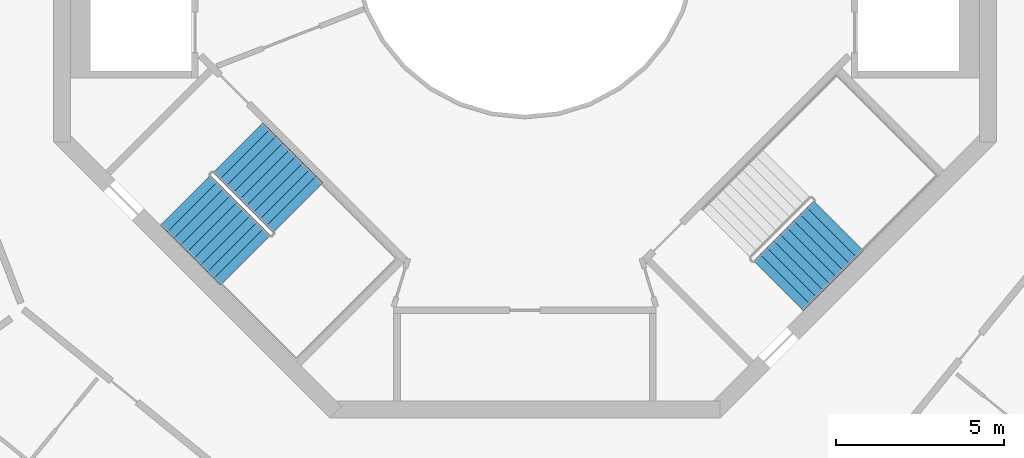
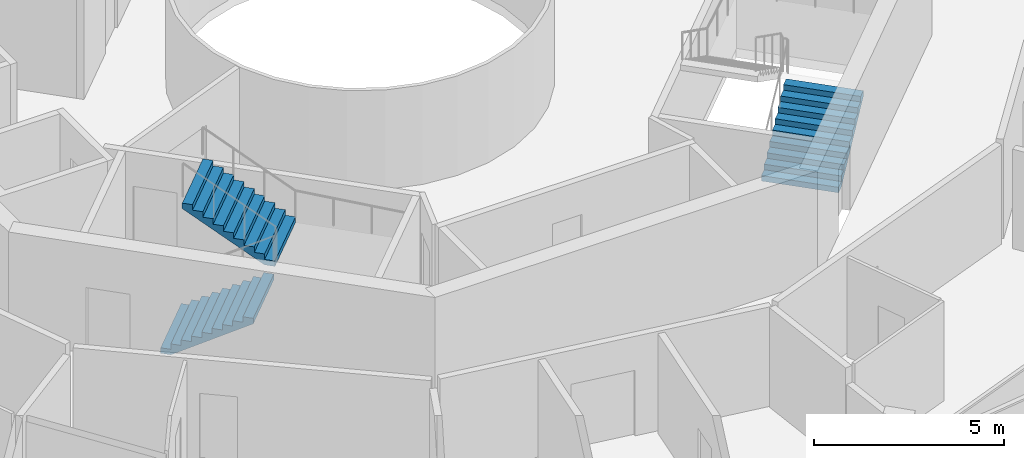
# One storey, part 21 of 23: 3 stair flights, 2 elements without a shape of their own.
"""IFC4 building model written with IfcOpenShell, lengths in metres."""

from ifc_helpers import new_model, si_unit, direction, frame, origin, place, context, subcontext, project, spatial, triangles, material, type_object, element, aggregate, save


model = new_model("IFC4")

# Units and contexts
model_context = context("Model", 3, precision=1e-05, world=origin(), true_north=direction((0.0, 1.0)))
body_context = subcontext(model_context, "Body", "Model", "MODEL_VIEW")
ifc_project = project(units=[si_unit("LENGTHUNIT", "METRE"), si_unit("AREAUNIT", "SQUARE_METRE"), si_unit("VOLUMEUNIT", "CUBIC_METRE"), si_unit("PLANEANGLEUNIT", "RADIAN"), si_unit("MASSUNIT", "GRAM", prefix="KILO")], contexts=[model_context])

# Site, building, storey
site_placement = place(None, origin())
site = spatial("IfcSite", under=ifc_project, at=site_placement, CompositionType="ELEMENT")
building_placement = place(site_placement, origin())
building = spatial("IfcBuilding", under=site, at=building_placement, Name="Verdalira Terraces Hotel", CompositionType="ELEMENT")
storey_placement = place(building_placement, frame((0.0, 0.0, 241.0)))
storey = spatial("IfcBuildingStorey", under=building, at=storey_placement, Name="L59", CompositionType="ELEMENT", Elevation=241.0)

# Stair, stair flights
ifc_material_1 = material(Name="Concrete C40", Category="concrete")
stair_type = type_object("IfcStairType", Name="Core stair 20 risers 2100 mm wide", PredefinedType="HALF_TURN_STAIR", material=ifc_material_1)
stair_1_placement = place(storey_placement, origin())
stair_1 = element("IfcStair", 1, at=stair_1_placement, inside=storey, type_object=stair_type, Name="L59 Exit stair ST2", PredefinedType="HALF_TURN_STAIR")
ifc_material_2 = material(Name="Concrete C40", Category="concrete")
stair_flight_type = type_object("IfcStairFlightType", Name="Core stair flight 20 risers 2100 mm wide", PredefinedType="STRAIGHT", material=ifc_material_2)
stair_flight_1_placement = place(storey_placement, frame((-10.076172, -7.530762, 0.0), z_axis=(0.0, 0.0, 1.0), x_axis=(0.707106781, -0.707106781, 0.0)))
stair_flight_1 = element("IfcStairFlight", 2, at=stair_flight_1_placement, type_object=stair_flight_type, Name="ST2 flight 1", NumberOfRisers=10, NumberOfTreads=9, PredefinedType="STRAIGHT", RiserHeight=0.175, TreadLength=0.28, context=body_context, shape_type="Tessellation", body=[
    triangles([(0.0, 1.050049, 0.0), (0.282715, 1.050049, 0.0), (2.52002, 1.050049, 1.398193), (0.0, -1.050049, 0.0), (0.282715, -1.050049, 0.0), (2.52002, -1.050049, 1.398193), (2.52002, 1.050049, 1.574951), (2.23999, 1.050049, 1.574951), (2.52002, -1.050049, 1.574951), (2.23999, -1.050049, 1.574951), (2.23999, 1.050049, 1.399902), (2.23999, -1.050049, 1.399902), (1.959961, 1.050049, 1.399902), (1.959961, -1.050049, 1.399902), (1.959961, 1.050049, 1.225098), (1.959961, -1.050049, 1.225098), (1.679932, 1.050049, 1.225098), (1.679932, 1.050049, 1.050049), (1.679932, -1.050049, 1.225098), (1.679932, -1.050049, 1.050049), (1.399902, 1.050049, 1.050049), (1.399902, 1.050049, 0.875), (1.399902, -1.050049, 1.050049), (1.399902, -1.050049, 0.875), (1.120117, 1.050049, 0.875), (1.120117, 1.050049, 0.699951), (1.120117, -1.050049, 0.875), (1.120117, -1.050049, 0.699951), (0.840088, 1.050049, 0.699951), (0.840088, 1.050049, 0.524902), (0.840088, -1.050049, 0.699951), (0.840088, -1.050049, 0.524902), (0.560059, 1.050049, 0.524902), (0.560059, 1.050049, 0.350098), (0.560059, -1.050049, 0.524902), (0.560059, -1.050049, 0.350098), (0.280029, 1.050049, 0.350098), (0.280029, 1.050049, 0.175049), (0.280029, -1.050049, 0.350098), (0.280029, -1.050049, 0.175049), (0.0, 1.050049, 0.175049), (0.0, -1.050049, 0.175049), (0.0, -0.984421, 0.0), (0.0, -0.984421, 0.175049), (0.0, -0.918793, 0.0), (0.0, -0.918793, 0.175049), (0.0, -0.853165, 0.0), (0.0, -0.853165, 0.175049), (0.0, -0.787537, 0.0), (0.0, -0.787537, 0.175049), (0.0, -0.721909, 0.0), (0.0, -0.721909, 0.175049), (0.0, -0.656281, 0.0), (0.0, -0.656281, 0.175049), (0.0, -0.590652, 0.0), (0.0, -0.590652, 0.175049), (0.0, -0.525024, 0.0), (0.0, -0.525024, 0.175049), (0.0, -0.459396, 0.0), (0.0, -0.459396, 0.175049), (0.0, -0.393768, 0.0), (0.0, -0.393768, 0.175049), (0.0, -0.32814, 0.0), (0.0, -0.32814, 0.175049), (0.0, -0.262512, 0.0), (0.0, -0.262512, 0.175049), (0.0, -0.196884, 0.0), (0.0, -0.196884, 0.175049), (0.0, -0.131256, 0.0), (0.0, -0.131256, 0.175049), (0.0, -0.065628, 0.0), (0.0, -0.065628, 0.175049), (0.0, 0.0, 0.0), (0.0, 0.0, 0.175049), (0.0, 0.065628, 0.0), (0.0, 0.065628, 0.175049), (0.0, 0.131256, 0.0), (0.0, 0.131256, 0.175049), (0.0, 0.196884, 0.0), (0.0, 0.196884, 0.175049), (0.0, 0.262512, 0.0), (0.0, 0.262512, 0.175049), (0.0, 0.32814, 0.0), (0.0, 0.32814, 0.175049), (0.0, 0.393768, 0.0), (0.0, 0.393768, 0.175049), (0.0, 0.459396, 0.0), (0.0, 0.459396, 0.175049), (0.0, 0.525024, 0.0), (0.0, 0.525024, 0.175049), (0.0, 0.590652, 0.0), (0.0, 0.590652, 0.175049), (0.0, 0.656281, 0.0), (0.0, 0.656281, 0.175049), (0.0, 0.721909, 0.0), (0.0, 0.721909, 0.175049), (0.0, 0.787537, 0.0), (0.0, 0.787537, 0.175049), (0.0, 0.853165, 0.0), (0.0, 0.853165, 0.175049), (0.0, 0.918793, 0.0), (0.0, 0.918793, 0.175049), (0.0, 0.984421, 0.0), (0.0, 0.984421, 0.175049), (2.52002, -0.984421, 1.574951), (2.52002, -0.918793, 1.574951), (2.52002, -0.853165, 1.574951), (2.52002, -0.787537, 1.574951), (2.52002, -0.721909, 1.574951), (2.52002, -0.656281, 1.574951), (2.52002, -0.590652, 1.574951), (2.52002, -0.525024, 1.574951), (2.52002, -0.459396, 1.574951), (2.52002, -0.393768, 1.574951), (2.52002, -0.32814, 1.574951), (2.52002, -0.262512, 1.574951), (2.52002, -0.196884, 1.574951), (2.52002, -0.131256, 1.574951), (2.52002, -0.065628, 1.574951), (2.52002, 0.0, 1.574951), (2.52002, 0.065628, 1.574951), (2.52002, 0.131256, 1.574951), (2.52002, 0.196884, 1.574951), (2.52002, 0.262512, 1.574951), (2.52002, 0.32814, 1.574951), (2.52002, 0.393768, 1.574951), (2.52002, 0.459396, 1.574951), (2.52002, 0.525024, 1.574951), (2.52002, 0.590652, 1.574951), (2.52002, 0.656281, 1.574951), (2.52002, 0.721909, 1.574951), (2.52002, 0.787537, 1.574951), (2.52002, 0.853165, 1.574951), (2.52002, 0.918793, 1.574951), (2.52002, 0.984421, 1.574951), (2.52002, -0.984421, 1.398193), (2.52002, -0.918793, 1.398193), (2.52002, -0.853165, 1.398193), (2.52002, -0.787537, 1.398193), (2.52002, -0.721909, 1.398193), (2.52002, -0.656281, 1.398193), (2.52002, -0.590652, 1.398193), (2.52002, -0.525024, 1.398193), (2.52002, -0.459396, 1.398193), (2.52002, -0.393768, 1.398193), (2.52002, -0.32814, 1.398193), (2.52002, -0.262512, 1.398193), (2.52002, -0.196884, 1.398193), (2.52002, -0.131256, 1.398193), (2.52002, -0.065628, 1.398193), (2.52002, 0.0, 1.398193), (2.52002, 0.065628, 1.398193), (2.52002, 0.131256, 1.398193), (2.52002, 0.196884, 1.398193), (2.52002, 0.262512, 1.398193), (2.52002, 0.32814, 1.398193), (2.52002, 0.393768, 1.398193), (2.52002, 0.459396, 1.398193), (2.52002, 0.525024, 1.398193), (2.52002, 0.590652, 1.398193), (2.52002, 0.656281, 1.398193), (2.52002, 0.721909, 1.398193), (2.52002, 0.787537, 1.398193), (2.52002, 0.853165, 1.398193), (2.52002, 0.918793, 1.398193), (2.52002, 0.984421, 1.398193)], [[1, 3, 2], [4, 5, 6], [3, 8, 7], [6, 9, 10], [3, 11, 8], [6, 10, 12], [3, 13, 11], [6, 12, 14], [3, 15, 13], [6, 14, 16], [15, 18, 17], [16, 19, 20], [3, 18, 15], [6, 16, 20], [18, 22, 21], [20, 23, 24], [3, 22, 18], [6, 20, 24], [22, 26, 25], [24, 27, 28], [3, 26, 22], [6, 24, 28], [26, 30, 29], [28, 31, 32], [3, 30, 26], [6, 28, 32], [1, 30, 3], [4, 6, 32], [30, 34, 33], [32, 35, 36], [34, 38, 37], [36, 39, 40], [30, 38, 34], [32, 36, 40], [1, 38, 30], [4, 32, 40], [38, 1, 41], [40, 42, 4], [4, 44, 43], [4, 42, 44], [43, 46, 45], [43, 44, 46], [45, 48, 47], [45, 46, 48], [47, 50, 49], [47, 48, 50], [49, 52, 51], [49, 50, 52], [51, 54, 53], [51, 52, 54], [53, 56, 55], [53, 54, 56], [55, 58, 57], [55, 56, 58], [57, 60, 59], [57, 58, 60], [59, 62, 61], [59, 60, 62], [61, 64, 63], [61, 62, 64], [63, 66, 65], [63, 64, 66], [65, 68, 67], [65, 66, 68], [67, 70, 69], [67, 68, 70], [69, 72, 71], [69, 70, 72], [71, 74, 73], [71, 72, 74], [73, 76, 75], [73, 74, 76], [75, 78, 77], [75, 76, 78], [77, 80, 79], [77, 78, 80], [79, 82, 81], [79, 80, 82], [81, 84, 83], [81, 82, 84], [83, 86, 85], [83, 84, 86], [85, 88, 87], [85, 86, 88], [87, 90, 89], [87, 88, 90], [89, 92, 91], [89, 90, 92], [91, 94, 93], [91, 92, 94], [93, 96, 95], [93, 94, 96], [95, 98, 97], [95, 96, 98], [97, 100, 99], [97, 98, 100], [99, 102, 101], [99, 100, 102], [101, 104, 103], [101, 102, 104], [103, 41, 1], [103, 104, 41], [42, 40, 44], [44, 40, 46], [46, 40, 48], [48, 40, 50], [50, 40, 52], [52, 40, 54], [54, 40, 56], [56, 40, 58], [58, 40, 60], [60, 40, 62], [62, 40, 64], [64, 40, 66], [66, 40, 68], [68, 40, 70], [70, 40, 72], [72, 40, 74], [74, 40, 76], [76, 40, 78], [78, 40, 80], [80, 40, 82], [82, 40, 84], [84, 40, 86], [86, 40, 88], [88, 40, 90], [90, 40, 92], [92, 40, 94], [94, 40, 96], [96, 40, 98], [98, 40, 100], [100, 40, 102], [102, 40, 104], [104, 40, 41], [41, 40, 38], [40, 37, 38], [40, 39, 37], [39, 34, 37], [39, 36, 34], [36, 33, 34], [36, 35, 33], [35, 30, 33], [35, 32, 30], [32, 29, 30], [32, 31, 29], [31, 26, 29], [31, 28, 26], [28, 25, 26], [28, 27, 25], [27, 22, 25], [27, 24, 22], [24, 21, 22], [24, 23, 21], [23, 18, 21], [23, 20, 18], [20, 17, 18], [20, 19, 17], [19, 15, 17], [19, 16, 15], [16, 13, 15], [16, 14, 13], [14, 11, 13], [14, 12, 11], [12, 8, 11], [12, 10, 8], [9, 105, 10], [105, 106, 10], [106, 107, 10], [107, 108, 10], [108, 109, 10], [109, 110, 10], [110, 111, 10], [111, 112, 10], [112, 113, 10], [113, 114, 10], [114, 115, 10], [115, 116, 10], [116, 117, 10], [117, 118, 10], [118, 119, 10], [119, 120, 10], [120, 121, 10], [121, 122, 10], [122, 123, 10], [123, 124, 10], [124, 125, 10], [125, 126, 10], [126, 127, 10], [127, 128, 10], [128, 129, 10], [129, 130, 10], [130, 131, 10], [131, 132, 10], [132, 133, 10], [133, 134, 10], [134, 135, 10], [135, 7, 10], [7, 8, 10], [9, 136, 105], [9, 6, 136], [105, 137, 106], [105, 136, 137], [106, 138, 107], [106, 137, 138], [107, 139, 108], [107, 138, 139], [108, 140, 109], [108, 139, 140], [109, 141, 110], [109, 140, 141], [110, 142, 111], [110, 141, 142], [111, 143, 112], [111, 142, 143], [112, 144, 113], [112, 143, 144], [113, 145, 114], [113, 144, 145], [114, 146, 115], [114, 145, 146], [115, 147, 116], [115, 146, 147], [116, 148, 117], [116, 147, 148], [117, 149, 118], [117, 148, 149], [118, 150, 119], [118, 149, 150], [119, 151, 120], [119, 150, 151], [120, 152, 121], [120, 151, 152], [121, 153, 122], [121, 152, 153], [122, 154, 123], [122, 153, 154], [123, 155, 124], [123, 154, 155], [124, 156, 125], [124, 155, 156], [125, 157, 126], [125, 156, 157], [126, 158, 127], [126, 157, 158], [127, 159, 128], [127, 158, 159], [128, 160, 129], [128, 159, 160], [129, 161, 130], [129, 160, 161], [130, 162, 131], [130, 161, 162], [131, 163, 132], [131, 162, 163], [132, 164, 133], [132, 163, 164], [133, 165, 134], [133, 164, 165], [134, 166, 135], [134, 165, 166], [135, 3, 7], [135, 166, 3], [6, 5, 136], [136, 5, 137], [137, 5, 138], [138, 5, 139], [139, 5, 140], [140, 5, 141], [141, 5, 142], [142, 5, 143], [143, 5, 144], [144, 5, 145], [145, 5, 146], [146, 5, 147], [147, 5, 148], [148, 5, 149], [149, 5, 150], [150, 5, 151], [151, 5, 152], [152, 5, 153], [153, 5, 154], [154, 5, 155], [155, 5, 156], [156, 5, 157], [157, 5, 158], [158, 5, 159], [159, 5, 160], [160, 5, 161], [161, 5, 162], [162, 5, 163], [163, 5, 164], [164, 5, 165], [165, 5, 166], [166, 5, 3], [3, 5, 2], [4, 43, 5], [43, 45, 5], [45, 47, 5], [47, 49, 5], [49, 51, 5], [51, 53, 5], [53, 55, 5], [55, 57, 5], [57, 59, 5], [59, 61, 5], [61, 63, 5], [63, 65, 5], [65, 67, 5], [67, 69, 5], [69, 71, 5], [71, 73, 5], [73, 75, 5], [75, 77, 5], [77, 79, 5], [79, 81, 5], [81, 83, 5], [83, 85, 5], [85, 87, 5], [87, 89, 5], [89, 91, 5], [91, 93, 5], [93, 95, 5], [95, 97, 5], [97, 99, 5], [99, 101, 5], [101, 103, 5], [103, 1, 5], [1, 2, 5]], closed=True),
])
stair_flight_2_placement = place(storey_placement, frame((-6.73877, -7.75708, 1.75), z_axis=(0.0, 0.0, 1.0), x_axis=(-0.707106781, 0.707106781, 0.0)))
stair_flight_2 = element("IfcStairFlight", 3, at=stair_flight_2_placement, type_object=stair_flight_type, Name="ST2 flight 2", NumberOfRisers=10, NumberOfTreads=9, PredefinedType="STRAIGHT", RiserHeight=0.175, TreadLength=0.28, context=body_context, shape_type="Tessellation", body=[
    triangles([(0.0, 1.050049, 0.0), (0.282715, 1.050049, 0.0), (2.52002, 1.050049, 1.398193), (0.0, -1.050049, 0.0), (0.282715, -1.050049, 0.0), (2.52002, -1.050049, 1.398193), (2.52002, 1.050049, 1.574951), (2.23999, 1.050049, 1.574951), (2.52002, -1.050049, 1.574951), (2.23999, -1.050049, 1.574951), (2.23999, 1.050049, 1.399902), (2.23999, -1.050049, 1.399902), (1.959961, 1.050049, 1.399902), (1.959961, -1.050049, 1.399902), (1.959961, 1.050049, 1.225098), (1.959961, -1.050049, 1.225098), (1.679932, 1.050049, 1.225098), (1.679932, 1.050049, 1.050049), (1.679932, -1.050049, 1.225098), (1.679932, -1.050049, 1.050049), (1.399902, 1.050049, 1.050049), (1.399902, 1.050049, 0.875), (1.399902, -1.050049, 1.050049), (1.399902, -1.050049, 0.875), (1.120117, 1.050049, 0.875), (1.120117, 1.050049, 0.699951), (1.120117, -1.050049, 0.875), (1.120117, -1.050049, 0.699951), (0.840088, 1.050049, 0.699951), (0.840088, 1.050049, 0.524902), (0.840088, -1.050049, 0.699951), (0.840088, -1.050049, 0.524902), (0.560059, 1.050049, 0.524902), (0.560059, 1.050049, 0.350098), (0.560059, -1.050049, 0.524902), (0.560059, -1.050049, 0.350098), (0.280029, 1.050049, 0.350098), (0.280029, 1.050049, 0.175049), (0.280029, -1.050049, 0.350098), (0.280029, -1.050049, 0.175049), (0.0, 1.050049, 0.175049), (0.0, -1.050049, 0.175049), (0.0, -0.984421, 0.0), (0.0, -0.984421, 0.175049), (0.0, -0.918793, 0.0), (0.0, -0.918793, 0.175049), (0.0, -0.853165, 0.0), (0.0, -0.853165, 0.175049), (0.0, -0.787537, 0.0), (0.0, -0.787537, 0.175049), (0.0, -0.721909, 0.0), (0.0, -0.721909, 0.175049), (0.0, -0.656281, 0.0), (0.0, -0.656281, 0.175049), (0.0, -0.590652, 0.0), (0.0, -0.590652, 0.175049), (0.0, -0.525024, 0.0), (0.0, -0.525024, 0.175049), (0.0, -0.459396, 0.0), (0.0, -0.459396, 0.175049), (0.0, -0.393768, 0.0), (0.0, -0.393768, 0.175049), (0.0, -0.32814, 0.0), (0.0, -0.32814, 0.175049), (0.0, -0.262512, 0.0), (0.0, -0.262512, 0.175049), (0.0, -0.196884, 0.0), (0.0, -0.196884, 0.175049), (0.0, -0.131256, 0.0), (0.0, -0.131256, 0.175049), (0.0, -0.065628, 0.0), (0.0, -0.065628, 0.175049), (0.0, 0.0, 0.0), (0.0, 0.0, 0.175049), (0.0, 0.065628, 0.0), (0.0, 0.065628, 0.175049), (0.0, 0.131256, 0.0), (0.0, 0.131256, 0.175049), (0.0, 0.196884, 0.0), (0.0, 0.196884, 0.175049), (0.0, 0.262512, 0.0), (0.0, 0.262512, 0.175049), (0.0, 0.32814, 0.0), (0.0, 0.32814, 0.175049), (0.0, 0.393768, 0.0), (0.0, 0.393768, 0.175049), (0.0, 0.459396, 0.0), (0.0, 0.459396, 0.175049), (0.0, 0.525024, 0.0), (0.0, 0.525024, 0.175049), (0.0, 0.590652, 0.0), (0.0, 0.590652, 0.175049), (0.0, 0.656281, 0.0), (0.0, 0.656281, 0.175049), (0.0, 0.721909, 0.0), (0.0, 0.721909, 0.175049), (0.0, 0.787537, 0.0), (0.0, 0.787537, 0.175049), (0.0, 0.853165, 0.0), (0.0, 0.853165, 0.175049), (0.0, 0.918793, 0.0), (0.0, 0.918793, 0.175049), (0.0, 0.984421, 0.0), (0.0, 0.984421, 0.175049), (2.52002, -0.984421, 1.574951), (2.52002, -0.918793, 1.574951), (2.52002, -0.853165, 1.574951), (2.52002, -0.787537, 1.574951), (2.52002, -0.721909, 1.574951), (2.52002, -0.656281, 1.574951), (2.52002, -0.590652, 1.574951), (2.52002, -0.525024, 1.574951), (2.52002, -0.459396, 1.574951), (2.52002, -0.393768, 1.574951), (2.52002, -0.32814, 1.574951), (2.52002, -0.262512, 1.574951), (2.52002, -0.196884, 1.574951), (2.52002, -0.131256, 1.574951), (2.52002, -0.065628, 1.574951), (2.52002, 0.0, 1.574951), (2.52002, 0.065628, 1.574951), (2.52002, 0.131256, 1.574951), (2.52002, 0.196884, 1.574951), (2.52002, 0.262512, 1.574951), (2.52002, 0.32814, 1.574951), (2.52002, 0.393768, 1.574951), (2.52002, 0.459396, 1.574951), (2.52002, 0.525024, 1.574951), (2.52002, 0.590652, 1.574951), (2.52002, 0.656281, 1.574951), (2.52002, 0.721909, 1.574951), (2.52002, 0.787537, 1.574951), (2.52002, 0.853165, 1.574951), (2.52002, 0.918793, 1.574951), (2.52002, 0.984421, 1.574951), (2.52002, -0.984421, 1.398193), (2.52002, -0.918793, 1.398193), (2.52002, -0.853165, 1.398193), (2.52002, -0.787537, 1.398193), (2.52002, -0.721909, 1.398193), (2.52002, -0.656281, 1.398193), (2.52002, -0.590652, 1.398193), (2.52002, -0.525024, 1.398193), (2.52002, -0.459396, 1.398193), (2.52002, -0.393768, 1.398193), (2.52002, -0.32814, 1.398193), (2.52002, -0.262512, 1.398193), (2.52002, -0.196884, 1.398193), (2.52002, -0.131256, 1.398193), (2.52002, -0.065628, 1.398193), (2.52002, 0.0, 1.398193), (2.52002, 0.065628, 1.398193), (2.52002, 0.131256, 1.398193), (2.52002, 0.196884, 1.398193), (2.52002, 0.262512, 1.398193), (2.52002, 0.32814, 1.398193), (2.52002, 0.393768, 1.398193), (2.52002, 0.459396, 1.398193), (2.52002, 0.525024, 1.398193), (2.52002, 0.590652, 1.398193), (2.52002, 0.656281, 1.398193), (2.52002, 0.721909, 1.398193), (2.52002, 0.787537, 1.398193), (2.52002, 0.853165, 1.398193), (2.52002, 0.918793, 1.398193), (2.52002, 0.984421, 1.398193)], [[1, 3, 2], [4, 5, 6], [3, 8, 7], [6, 9, 10], [3, 11, 8], [6, 10, 12], [3, 13, 11], [6, 12, 14], [3, 15, 13], [6, 14, 16], [15, 18, 17], [16, 19, 20], [3, 18, 15], [6, 16, 20], [18, 22, 21], [20, 23, 24], [3, 22, 18], [6, 20, 24], [22, 26, 25], [24, 27, 28], [3, 26, 22], [6, 24, 28], [26, 30, 29], [28, 31, 32], [3, 30, 26], [6, 28, 32], [1, 30, 3], [4, 6, 32], [30, 34, 33], [32, 35, 36], [34, 38, 37], [36, 39, 40], [30, 38, 34], [32, 36, 40], [1, 38, 30], [4, 32, 40], [38, 1, 41], [40, 42, 4], [4, 44, 43], [4, 42, 44], [43, 46, 45], [43, 44, 46], [45, 48, 47], [45, 46, 48], [47, 50, 49], [47, 48, 50], [49, 52, 51], [49, 50, 52], [51, 54, 53], [51, 52, 54], [53, 56, 55], [53, 54, 56], [55, 58, 57], [55, 56, 58], [57, 60, 59], [57, 58, 60], [59, 62, 61], [59, 60, 62], [61, 64, 63], [61, 62, 64], [63, 66, 65], [63, 64, 66], [65, 68, 67], [65, 66, 68], [67, 70, 69], [67, 68, 70], [69, 72, 71], [69, 70, 72], [71, 74, 73], [71, 72, 74], [73, 76, 75], [73, 74, 76], [75, 78, 77], [75, 76, 78], [77, 80, 79], [77, 78, 80], [79, 82, 81], [79, 80, 82], [81, 84, 83], [81, 82, 84], [83, 86, 85], [83, 84, 86], [85, 88, 87], [85, 86, 88], [87, 90, 89], [87, 88, 90], [89, 92, 91], [89, 90, 92], [91, 94, 93], [91, 92, 94], [93, 96, 95], [93, 94, 96], [95, 98, 97], [95, 96, 98], [97, 100, 99], [97, 98, 100], [99, 102, 101], [99, 100, 102], [101, 104, 103], [101, 102, 104], [103, 41, 1], [103, 104, 41], [42, 40, 44], [44, 40, 46], [46, 40, 48], [48, 40, 50], [50, 40, 52], [52, 40, 54], [54, 40, 56], [56, 40, 58], [58, 40, 60], [60, 40, 62], [62, 40, 64], [64, 40, 66], [66, 40, 68], [68, 40, 70], [70, 40, 72], [72, 40, 74], [74, 40, 76], [76, 40, 78], [78, 40, 80], [80, 40, 82], [82, 40, 84], [84, 40, 86], [86, 40, 88], [88, 40, 90], [90, 40, 92], [92, 40, 94], [94, 40, 96], [96, 40, 98], [98, 40, 100], [100, 40, 102], [102, 40, 104], [104, 40, 41], [41, 40, 38], [40, 37, 38], [40, 39, 37], [39, 34, 37], [39, 36, 34], [36, 33, 34], [36, 35, 33], [35, 30, 33], [35, 32, 30], [32, 29, 30], [32, 31, 29], [31, 26, 29], [31, 28, 26], [28, 25, 26], [28, 27, 25], [27, 22, 25], [27, 24, 22], [24, 21, 22], [24, 23, 21], [23, 18, 21], [23, 20, 18], [20, 17, 18], [20, 19, 17], [19, 15, 17], [19, 16, 15], [16, 13, 15], [16, 14, 13], [14, 11, 13], [14, 12, 11], [12, 8, 11], [12, 10, 8], [9, 105, 10], [105, 106, 10], [106, 107, 10], [107, 108, 10], [108, 109, 10], [109, 110, 10], [110, 111, 10], [111, 112, 10], [112, 113, 10], [113, 114, 10], [114, 115, 10], [115, 116, 10], [116, 117, 10], [117, 118, 10], [118, 119, 10], [119, 120, 10], [120, 121, 10], [121, 122, 10], [122, 123, 10], [123, 124, 10], [124, 125, 10], [125, 126, 10], [126, 127, 10], [127, 128, 10], [128, 129, 10], [129, 130, 10], [130, 131, 10], [131, 132, 10], [132, 133, 10], [133, 134, 10], [134, 135, 10], [135, 7, 10], [7, 8, 10], [9, 136, 105], [9, 6, 136], [105, 137, 106], [105, 136, 137], [106, 138, 107], [106, 137, 138], [107, 139, 108], [107, 138, 139], [108, 140, 109], [108, 139, 140], [109, 141, 110], [109, 140, 141], [110, 142, 111], [110, 141, 142], [111, 143, 112], [111, 142, 143], [112, 144, 113], [112, 143, 144], [113, 145, 114], [113, 144, 145], [114, 146, 115], [114, 145, 146], [115, 147, 116], [115, 146, 147], [116, 148, 117], [116, 147, 148], [117, 149, 118], [117, 148, 149], [118, 150, 119], [118, 149, 150], [119, 151, 120], [119, 150, 151], [120, 152, 121], [120, 151, 152], [121, 153, 122], [121, 152, 153], [122, 154, 123], [122, 153, 154], [123, 155, 124], [123, 154, 155], [124, 156, 125], [124, 155, 156], [125, 157, 126], [125, 156, 157], [126, 158, 127], [126, 157, 158], [127, 159, 128], [127, 158, 159], [128, 160, 129], [128, 159, 160], [129, 161, 130], [129, 160, 161], [130, 162, 131], [130, 161, 162], [131, 163, 132], [131, 162, 163], [132, 164, 133], [132, 163, 164], [133, 165, 134], [133, 164, 165], [134, 166, 135], [134, 165, 166], [135, 3, 7], [135, 166, 3], [6, 5, 136], [136, 5, 137], [137, 5, 138], [138, 5, 139], [139, 5, 140], [140, 5, 141], [141, 5, 142], [142, 5, 143], [143, 5, 144], [144, 5, 145], [145, 5, 146], [146, 5, 147], [147, 5, 148], [148, 5, 149], [149, 5, 150], [150, 5, 151], [151, 5, 152], [152, 5, 153], [153, 5, 154], [154, 5, 155], [155, 5, 156], [156, 5, 157], [157, 5, 158], [158, 5, 159], [159, 5, 160], [160, 5, 161], [161, 5, 162], [162, 5, 163], [163, 5, 164], [164, 5, 165], [165, 5, 166], [166, 5, 3], [3, 5, 2], [4, 43, 5], [43, 45, 5], [45, 47, 5], [47, 49, 5], [49, 51, 5], [51, 53, 5], [53, 55, 5], [55, 57, 5], [57, 59, 5], [59, 61, 5], [61, 63, 5], [63, 65, 5], [65, 67, 5], [67, 69, 5], [69, 71, 5], [71, 73, 5], [73, 75, 5], [75, 77, 5], [77, 79, 5], [79, 81, 5], [81, 83, 5], [83, 85, 5], [85, 87, 5], [87, 89, 5], [89, 91, 5], [91, 93, 5], [93, 95, 5], [95, 97, 5], [97, 99, 5], [99, 101, 5], [101, 103, 5], [103, 1, 5], [1, 2, 5]], closed=True),
])
aggregate(stair_1, [stair_flight_1, stair_flight_2])

# Stair, stair flight
stair_2_placement = place(storey_placement, origin())
stair_2 = element("IfcStair", 4, at=stair_2_placement, inside=storey, type_object=stair_type, Name="L59 Exit stair ST3", PredefinedType="HALF_TURN_STAIR")
stair_flight_3_placement = place(storey_placement, frame((7.530762, -10.076172, 0.0), z_axis=(0.0, 0.0, 1.0), x_axis=(0.707106781, 0.707106781, 0.0)))
stair_flight_3 = element("IfcStairFlight", 5, at=stair_flight_3_placement, type_object=stair_flight_type, Name="ST3 flight 1", NumberOfRisers=10, NumberOfTreads=9, PredefinedType="STRAIGHT", RiserHeight=0.175, TreadLength=0.28, context=body_context, shape_type="Tessellation", body=[
    triangles([(0.0, 1.050049, 0.0), (0.282715, 1.050049, 0.0), (2.52002, 1.050049, 1.398193), (0.0, -1.050049, 0.0), (0.282715, -1.050049, 0.0), (2.52002, -1.050049, 1.398193), (2.52002, 1.050049, 1.574951), (2.23999, 1.050049, 1.574951), (2.52002, -1.050049, 1.574951), (2.23999, -1.050049, 1.574951), (2.23999, 1.050049, 1.399902), (2.23999, -1.050049, 1.399902), (1.959961, 1.050049, 1.399902), (1.959961, -1.050049, 1.399902), (1.959961, 1.050049, 1.225098), (1.959961, -1.050049, 1.225098), (1.679932, 1.050049, 1.225098), (1.679932, 1.050049, 1.050049), (1.679932, -1.050049, 1.225098), (1.679932, -1.050049, 1.050049), (1.399902, 1.050049, 1.050049), (1.399902, 1.050049, 0.875), (1.399902, -1.050049, 1.050049), (1.399902, -1.050049, 0.875), (1.120117, 1.050049, 0.875), (1.120117, 1.050049, 0.699951), (1.120117, -1.050049, 0.875), (1.120117, -1.050049, 0.699951), (0.840088, 1.050049, 0.699951), (0.840088, 1.050049, 0.524902), (0.840088, -1.050049, 0.699951), (0.840088, -1.050049, 0.524902), (0.560059, 1.050049, 0.524902), (0.560059, 1.050049, 0.350098), (0.560059, -1.050049, 0.524902), (0.560059, -1.050049, 0.350098), (0.280029, 1.050049, 0.350098), (0.280029, 1.050049, 0.175049), (0.280029, -1.050049, 0.350098), (0.280029, -1.050049, 0.175049), (0.0, 1.050049, 0.175049), (0.0, -1.050049, 0.175049), (0.0, -0.984421, 0.0), (0.0, -0.984421, 0.175049), (0.0, -0.918793, 0.0), (0.0, -0.918793, 0.175049), (0.0, -0.853165, 0.0), (0.0, -0.853165, 0.175049), (0.0, -0.787537, 0.0), (0.0, -0.787537, 0.175049), (0.0, -0.721909, 0.0), (0.0, -0.721909, 0.175049), (0.0, -0.656281, 0.0), (0.0, -0.656281, 0.175049), (0.0, -0.590652, 0.0), (0.0, -0.590652, 0.175049), (0.0, -0.525024, 0.0), (0.0, -0.525024, 0.175049), (0.0, -0.459396, 0.0), (0.0, -0.459396, 0.175049), (0.0, -0.393768, 0.0), (0.0, -0.393768, 0.175049), (0.0, -0.32814, 0.0), (0.0, -0.32814, 0.175049), (0.0, -0.262512, 0.0), (0.0, -0.262512, 0.175049), (0.0, -0.196884, 0.0), (0.0, -0.196884, 0.175049), (0.0, -0.131256, 0.0), (0.0, -0.131256, 0.175049), (0.0, -0.065628, 0.0), (0.0, -0.065628, 0.175049), (0.0, 0.0, 0.0), (0.0, 0.0, 0.175049), (0.0, 0.065628, 0.0), (0.0, 0.065628, 0.175049), (0.0, 0.131256, 0.0), (0.0, 0.131256, 0.175049), (0.0, 0.196884, 0.0), (0.0, 0.196884, 0.175049), (0.0, 0.262512, 0.0), (0.0, 0.262512, 0.175049), (0.0, 0.32814, 0.0), (0.0, 0.32814, 0.175049), (0.0, 0.393768, 0.0), (0.0, 0.393768, 0.175049), (0.0, 0.459396, 0.0), (0.0, 0.459396, 0.175049), (0.0, 0.525024, 0.0), (0.0, 0.525024, 0.175049), (0.0, 0.590652, 0.0), (0.0, 0.590652, 0.175049), (0.0, 0.656281, 0.0), (0.0, 0.656281, 0.175049), (0.0, 0.721909, 0.0), (0.0, 0.721909, 0.175049), (0.0, 0.787537, 0.0), (0.0, 0.787537, 0.175049), (0.0, 0.853165, 0.0), (0.0, 0.853165, 0.175049), (0.0, 0.918793, 0.0), (0.0, 0.918793, 0.175049), (0.0, 0.984421, 0.0), (0.0, 0.984421, 0.175049), (2.52002, -0.984421, 1.574951), (2.52002, -0.918793, 1.574951), (2.52002, -0.853165, 1.574951), (2.52002, -0.787537, 1.574951), (2.52002, -0.721909, 1.574951), (2.52002, -0.656281, 1.574951), (2.52002, -0.590652, 1.574951), (2.52002, -0.525024, 1.574951), (2.52002, -0.459396, 1.574951), (2.52002, -0.393768, 1.574951), (2.52002, -0.32814, 1.574951), (2.52002, -0.262512, 1.574951), (2.52002, -0.196884, 1.574951), (2.52002, -0.131256, 1.574951), (2.52002, -0.065628, 1.574951), (2.52002, 0.0, 1.574951), (2.52002, 0.065628, 1.574951), (2.52002, 0.131256, 1.574951), (2.52002, 0.196884, 1.574951), (2.52002, 0.262512, 1.574951), (2.52002, 0.32814, 1.574951), (2.52002, 0.393768, 1.574951), (2.52002, 0.459396, 1.574951), (2.52002, 0.525024, 1.574951), (2.52002, 0.590652, 1.574951), (2.52002, 0.656281, 1.574951), (2.52002, 0.721909, 1.574951), (2.52002, 0.787537, 1.574951), (2.52002, 0.853165, 1.574951), (2.52002, 0.918793, 1.574951), (2.52002, 0.984421, 1.574951), (2.52002, -0.984421, 1.398193), (2.52002, -0.918793, 1.398193), (2.52002, -0.853165, 1.398193), (2.52002, -0.787537, 1.398193), (2.52002, -0.721909, 1.398193), (2.52002, -0.656281, 1.398193), (2.52002, -0.590652, 1.398193), (2.52002, -0.525024, 1.398193), (2.52002, -0.459396, 1.398193), (2.52002, -0.393768, 1.398193), (2.52002, -0.32814, 1.398193), (2.52002, -0.262512, 1.398193), (2.52002, -0.196884, 1.398193), (2.52002, -0.131256, 1.398193), (2.52002, -0.065628, 1.398193), (2.52002, 0.0, 1.398193), (2.52002, 0.065628, 1.398193), (2.52002, 0.131256, 1.398193), (2.52002, 0.196884, 1.398193), (2.52002, 0.262512, 1.398193), (2.52002, 0.32814, 1.398193), (2.52002, 0.393768, 1.398193), (2.52002, 0.459396, 1.398193), (2.52002, 0.525024, 1.398193), (2.52002, 0.590652, 1.398193), (2.52002, 0.656281, 1.398193), (2.52002, 0.721909, 1.398193), (2.52002, 0.787537, 1.398193), (2.52002, 0.853165, 1.398193), (2.52002, 0.918793, 1.398193), (2.52002, 0.984421, 1.398193)], [[1, 3, 2], [4, 5, 6], [3, 8, 7], [6, 9, 10], [3, 11, 8], [6, 10, 12], [3, 13, 11], [6, 12, 14], [3, 15, 13], [6, 14, 16], [15, 18, 17], [16, 19, 20], [3, 18, 15], [6, 16, 20], [18, 22, 21], [20, 23, 24], [3, 22, 18], [6, 20, 24], [22, 26, 25], [24, 27, 28], [3, 26, 22], [6, 24, 28], [26, 30, 29], [28, 31, 32], [3, 30, 26], [6, 28, 32], [1, 30, 3], [4, 6, 32], [30, 34, 33], [32, 35, 36], [34, 38, 37], [36, 39, 40], [30, 38, 34], [32, 36, 40], [1, 38, 30], [4, 32, 40], [38, 1, 41], [40, 42, 4], [4, 44, 43], [4, 42, 44], [43, 46, 45], [43, 44, 46], [45, 48, 47], [45, 46, 48], [47, 50, 49], [47, 48, 50], [49, 52, 51], [49, 50, 52], [51, 54, 53], [51, 52, 54], [53, 56, 55], [53, 54, 56], [55, 58, 57], [55, 56, 58], [57, 60, 59], [57, 58, 60], [59, 62, 61], [59, 60, 62], [61, 64, 63], [61, 62, 64], [63, 66, 65], [63, 64, 66], [65, 68, 67], [65, 66, 68], [67, 70, 69], [67, 68, 70], [69, 72, 71], [69, 70, 72], [71, 74, 73], [71, 72, 74], [73, 76, 75], [73, 74, 76], [75, 78, 77], [75, 76, 78], [77, 80, 79], [77, 78, 80], [79, 82, 81], [79, 80, 82], [81, 84, 83], [81, 82, 84], [83, 86, 85], [83, 84, 86], [85, 88, 87], [85, 86, 88], [87, 90, 89], [87, 88, 90], [89, 92, 91], [89, 90, 92], [91, 94, 93], [91, 92, 94], [93, 96, 95], [93, 94, 96], [95, 98, 97], [95, 96, 98], [97, 100, 99], [97, 98, 100], [99, 102, 101], [99, 100, 102], [101, 104, 103], [101, 102, 104], [103, 41, 1], [103, 104, 41], [42, 40, 44], [44, 40, 46], [46, 40, 48], [48, 40, 50], [50, 40, 52], [52, 40, 54], [54, 40, 56], [56, 40, 58], [58, 40, 60], [60, 40, 62], [62, 40, 64], [64, 40, 66], [66, 40, 68], [68, 40, 70], [70, 40, 72], [72, 40, 74], [74, 40, 76], [76, 40, 78], [78, 40, 80], [80, 40, 82], [82, 40, 84], [84, 40, 86], [86, 40, 88], [88, 40, 90], [90, 40, 92], [92, 40, 94], [94, 40, 96], [96, 40, 98], [98, 40, 100], [100, 40, 102], [102, 40, 104], [104, 40, 41], [41, 40, 38], [40, 37, 38], [40, 39, 37], [39, 34, 37], [39, 36, 34], [36, 33, 34], [36, 35, 33], [35, 30, 33], [35, 32, 30], [32, 29, 30], [32, 31, 29], [31, 26, 29], [31, 28, 26], [28, 25, 26], [28, 27, 25], [27, 22, 25], [27, 24, 22], [24, 21, 22], [24, 23, 21], [23, 18, 21], [23, 20, 18], [20, 17, 18], [20, 19, 17], [19, 15, 17], [19, 16, 15], [16, 13, 15], [16, 14, 13], [14, 11, 13], [14, 12, 11], [12, 8, 11], [12, 10, 8], [9, 105, 10], [105, 106, 10], [106, 107, 10], [107, 108, 10], [108, 109, 10], [109, 110, 10], [110, 111, 10], [111, 112, 10], [112, 113, 10], [113, 114, 10], [114, 115, 10], [115, 116, 10], [116, 117, 10], [117, 118, 10], [118, 119, 10], [119, 120, 10], [120, 121, 10], [121, 122, 10], [122, 123, 10], [123, 124, 10], [124, 125, 10], [125, 126, 10], [126, 127, 10], [127, 128, 10], [128, 129, 10], [129, 130, 10], [130, 131, 10], [131, 132, 10], [132, 133, 10], [133, 134, 10], [134, 135, 10], [135, 7, 10], [7, 8, 10], [9, 136, 105], [9, 6, 136], [105, 137, 106], [105, 136, 137], [106, 138, 107], [106, 137, 138], [107, 139, 108], [107, 138, 139], [108, 140, 109], [108, 139, 140], [109, 141, 110], [109, 140, 141], [110, 142, 111], [110, 141, 142], [111, 143, 112], [111, 142, 143], [112, 144, 113], [112, 143, 144], [113, 145, 114], [113, 144, 145], [114, 146, 115], [114, 145, 146], [115, 147, 116], [115, 146, 147], [116, 148, 117], [116, 147, 148], [117, 149, 118], [117, 148, 149], [118, 150, 119], [118, 149, 150], [119, 151, 120], [119, 150, 151], [120, 152, 121], [120, 151, 152], [121, 153, 122], [121, 152, 153], [122, 154, 123], [122, 153, 154], [123, 155, 124], [123, 154, 155], [124, 156, 125], [124, 155, 156], [125, 157, 126], [125, 156, 157], [126, 158, 127], [126, 157, 158], [127, 159, 128], [127, 158, 159], [128, 160, 129], [128, 159, 160], [129, 161, 130], [129, 160, 161], [130, 162, 131], [130, 161, 162], [131, 163, 132], [131, 162, 163], [132, 164, 133], [132, 163, 164], [133, 165, 134], [133, 164, 165], [134, 166, 135], [134, 165, 166], [135, 3, 7], [135, 166, 3], [6, 5, 136], [136, 5, 137], [137, 5, 138], [138, 5, 139], [139, 5, 140], [140, 5, 141], [141, 5, 142], [142, 5, 143], [143, 5, 144], [144, 5, 145], [145, 5, 146], [146, 5, 147], [147, 5, 148], [148, 5, 149], [149, 5, 150], [150, 5, 151], [151, 5, 152], [152, 5, 153], [153, 5, 154], [154, 5, 155], [155, 5, 156], [156, 5, 157], [157, 5, 158], [158, 5, 159], [159, 5, 160], [160, 5, 161], [161, 5, 162], [162, 5, 163], [163, 5, 164], [164, 5, 165], [165, 5, 166], [166, 5, 3], [3, 5, 2], [4, 43, 5], [43, 45, 5], [45, 47, 5], [47, 49, 5], [49, 51, 5], [51, 53, 5], [53, 55, 5], [55, 57, 5], [57, 59, 5], [59, 61, 5], [61, 63, 5], [63, 65, 5], [65, 67, 5], [67, 69, 5], [69, 71, 5], [71, 73, 5], [73, 75, 5], [75, 77, 5], [77, 79, 5], [79, 81, 5], [81, 83, 5], [83, 85, 5], [85, 87, 5], [87, 89, 5], [89, 91, 5], [91, 93, 5], [93, 95, 5], [95, 97, 5], [97, 99, 5], [99, 101, 5], [101, 103, 5], [103, 1, 5], [1, 2, 5]], closed=True),
])
aggregate(stair_2, [stair_flight_3])

save(model, "model.ifc")
